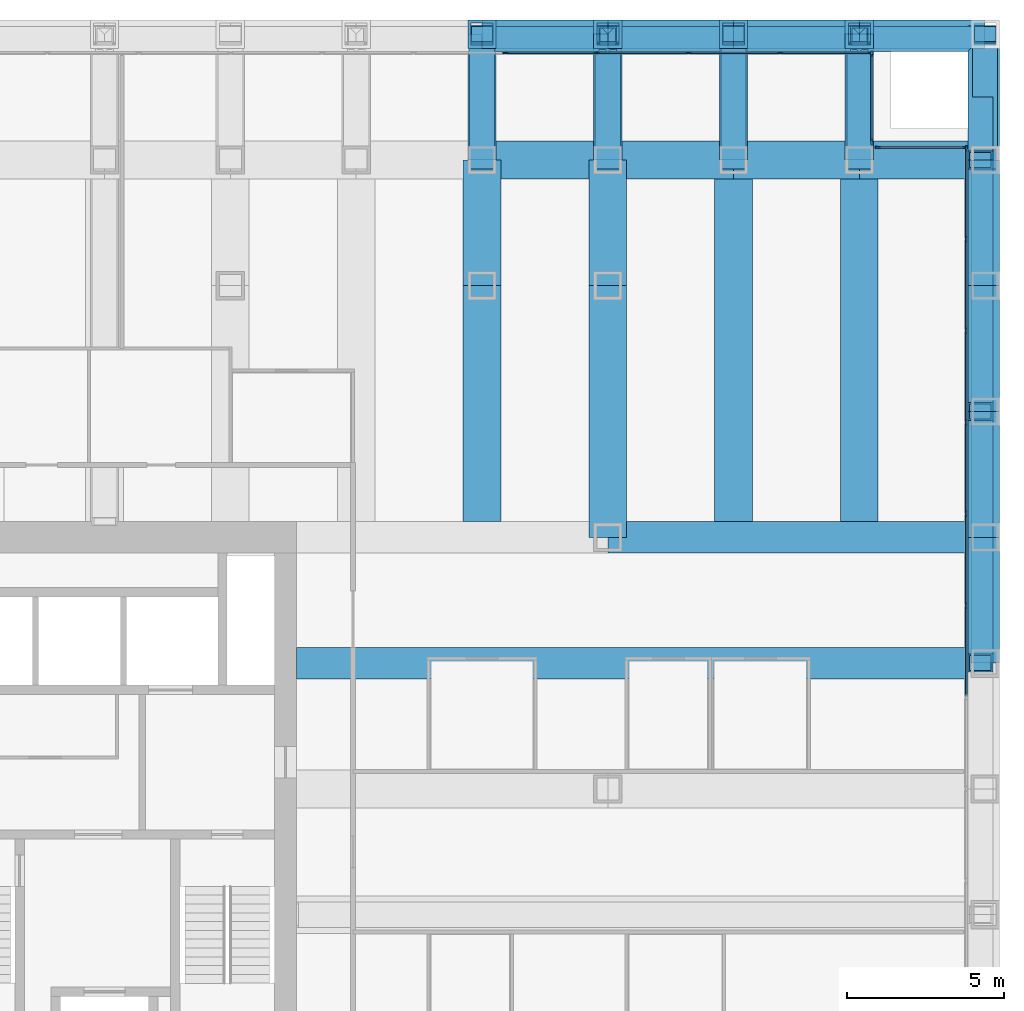
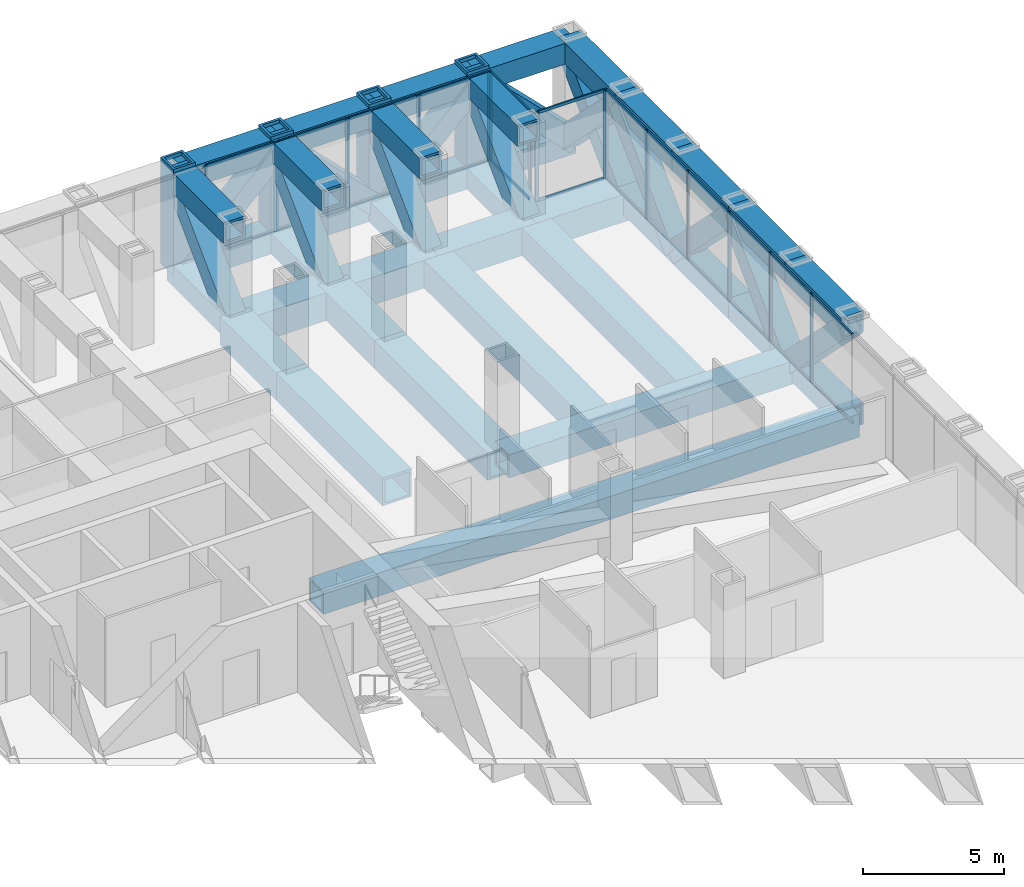
# One storey, part 10 of 18: 57 members, 37 beams, 4 elements without a shape of their own.
"""IFC4 building model written with IfcOpenShell, lengths in metres."""

from ifc_helpers import new_model, si_unit, direction, frame, origin, origin_2d, place, context, subcontext, project, spatial, rectangle, hollow_rectangle, extrude, material, material_profile, profile_set, type_object, element, aggregate, save


model = new_model("IFC4")

# Units and contexts
model_context = context("Model", 3, precision=1e-05, world=origin(), true_north=direction((0.0, 1.0)))
body_context = subcontext(model_context, "Body", "Model", "MODEL_VIEW")
ifc_project = project(units=[si_unit("LENGTHUNIT", "METRE"), si_unit("AREAUNIT", "SQUARE_METRE"), si_unit("VOLUMEUNIT", "CUBIC_METRE"), si_unit("PLANEANGLEUNIT", "RADIAN"), si_unit("MASSUNIT", "GRAM", prefix="KILO")], contexts=[model_context])

# Site, building, storey
site_placement = place(None, origin())
site = spatial("IfcSite", under=ifc_project, at=site_placement, CompositionType="ELEMENT")
building_placement = place(site_placement, origin())
building = spatial("IfcBuilding", under=site, at=building_placement, Name="Rimbunsela Tower", CompositionType="ELEMENT")
storey_placement = place(building_placement, frame((0.0, 0.0, 105.39990234375)))
storey = spatial("IfcBuildingStorey", under=building, at=storey_placement, Name="L25", CompositionType="ELEMENT", Elevation=105.39990234375)

# Beams
ifc_material_1 = material(Name="Steel BJ 55 (fy 410 MPa)", Category="steel")
ifc_material_profile_1 = material_profile(ifc_material_1, hollow_rectangle(XDim=1.0, YDim=1.0, WallThickness=0.10009765625, at=origin_2d()), Name="BOX 1000x1000x100")
ifc_profile_set_1 = profile_set([ifc_material_profile_1], Name="Steel BJ 55 (fy 410 MPa)")
beam_type_1 = type_object("IfcBeamType", Name="Beam BOX 1000x1000x100", PredefinedType="BEAM", material=ifc_profile_set_1)
beam_1_placement = place(storey_placement, frame((36.10009765625, 32.0, -0.64990234375), z_axis=(1.0, 0.0, 0.0), x_axis=(0.0, 1.0, 0.0)))
element("IfcBeam", 1, at=beam_1_placement, inside=storey, type_object=beam_type_1, Name="Beam B3 L25", PredefinedType="BEAM", context=body_context, shape_type="SweptSolid", body=[
    extrude(hollow_rectangle(XDim=1.0, YDim=1.0, WallThickness=0.10009765625, at=origin_2d()), origin(), (0.0, 0.0, 1.0), 21.89990234375),
])
beam_2_placement = place(storey_placement, frame((46.0, 36.0, -0.64990234375), z_axis=(1.0, 0.0, 0.0), x_axis=(0.0, 1.0, 0.0)))
element("IfcBeam", 2, at=beam_2_placement, inside=storey, type_object=beam_type_1, Name="Beam B3 L25", PredefinedType="BEAM", context=body_context, shape_type="SweptSolid", body=[
    extrude(hollow_rectangle(XDim=1.0, YDim=1.0, WallThickness=0.10009765625, at=origin_2d()), origin(), (0.0, 0.0, 1.0), 12.0),
])
ifc_material_2 = material(Name="Steel BJ 55 (fy 410 MPa)", Category="steel")
ifc_material_profile_2 = material_profile(ifc_material_2, hollow_rectangle(XDim=1.199951171875, YDim=1.199951171875, WallThickness=0.10009765625, at=origin_2d()), Name="BOX 1200x1200x100")
ifc_profile_set_2 = profile_set([ifc_material_profile_2], Name="Steel BJ 55 (fy 410 MPa)")
beam_type_2 = type_object("IfcBeamType", Name="Beam BOX 1200x1200x100", PredefinedType="BEAM", material=ifc_profile_set_2)
beam_3_placement = place(storey_placement, frame((42.0, 36.5, -0.75), z_axis=(0.0, 1.0, 0.0), x_axis=(-1.0, 0.0, 0.0)))
element("IfcBeam", 3, at=beam_3_placement, inside=storey, type_object=beam_type_2, Name="Beam B5 L25", PredefinedType="BEAM", context=body_context, shape_type="SweptSolid", body=[
    extrude(hollow_rectangle(XDim=1.199951171875, YDim=1.199951171875, WallThickness=0.10009765625, at=origin_2d()), origin(), (0.0, 0.0, 1.0), 7.5),
])
beam_4_placement = place(storey_placement, frame((46.0, 36.0, -0.75), z_axis=(0.0, 1.0, 0.0), x_axis=(-1.0, 0.0, 0.0)))
element("IfcBeam", 4, at=beam_4_placement, inside=storey, type_object=beam_type_2, Name="Beam B5 L25", PredefinedType="BEAM", context=body_context, shape_type="SweptSolid", body=[
    extrude(hollow_rectangle(XDim=1.199951171875, YDim=1.199951171875, WallThickness=0.10009765625, at=origin_2d()), origin(), (0.0, 0.0, 1.0), 8.0),
])
beam_5_placement = place(storey_placement, frame((50.0, 36.5, -0.75), z_axis=(0.0, 1.0, 0.0), x_axis=(-1.0, 0.0, 0.0)))
element("IfcBeam", 5, at=beam_5_placement, inside=storey, type_object=beam_type_2, Name="Beam B5 L25", PredefinedType="BEAM", context=body_context, shape_type="SweptSolid", body=[
    extrude(hollow_rectangle(XDim=1.199951171875, YDim=1.199951171875, WallThickness=0.10009765625, at=origin_2d()), origin(), (0.0, 0.0, 1.0), 11.5),
])
ifc_material_3 = material(Name="Steel BJ 55 (fy 410 MPa)", Category="steel")
ifc_material_profile_3 = material_profile(ifc_material_3, hollow_rectangle(XDim=1.199951171875, YDim=1.199951171875, WallThickness=0.125, at=origin_2d()), Name="BOX 1200x1200x125")
ifc_profile_set_3 = profile_set([ifc_material_profile_3], Name="Steel BJ 55 (fy 410 MPa)")
beam_type_3 = type_object("IfcBeamType", Name="Beam BOX 1200x1200x125", PredefinedType="BEAM", material=ifc_profile_set_3)
for number, where, z_axis, x_axis, name in (
    (6, (42.0, 44.0, -0.75), (0.0, 1.0, 0.0), (-1.0, 0.0, 0.0), "Beam B4 L25"),
    (7, (42.0, 48.0, -0.75), (1.0, 0.0, 0.0), (0.0, 1.0, 0.0), "Beam B4 L25"),
    (8, (46.0, 44.0, -0.75), (0.0, 1.0, 0.0), (-1.0, 0.0, 0.0), "Beam B4 L25"),
    (9, (46.0, 48.0, -0.75), (1.0, 0.0, 0.0), (0.0, 1.0, 0.0), "Beam B4 L25"),
    (10, (50.0, 48.0, -0.75), (1.0, 0.0, 0.0), (0.0, 1.0, 0.0), "Beam B4 L25"),
):
    element("IfcBeam", number, at=place(storey_placement, frame(where, z_axis=z_axis, x_axis=x_axis)), inside=storey, type_object=beam_type_3, Name=name, PredefinedType="BEAM", context=body_context, shape_type="SweptSolid", body=[
        extrude(hollow_rectangle(XDim=1.199951171875, YDim=1.199951171875, WallThickness=0.125, at=origin_2d()), origin(), (0.0, 0.0, 1.0), 4.0),
    ])
beam_6_placement = place(storey_placement, frame((54.0, 36.5, -0.75), z_axis=(0.0, 1.0, 0.0), x_axis=(-1.0, 0.0, 0.0)))
element("IfcBeam", 11, at=beam_6_placement, inside=storey, type_object=beam_type_3, Name="Beam B4 L25", PredefinedType="BEAM", context=body_context, shape_type="SweptSolid", body=[
    extrude(hollow_rectangle(XDim=1.199951171875, YDim=1.199951171875, WallThickness=0.125, at=origin_2d()), origin(), (0.0, 0.0, 1.0), 11.5),
])
beam_7_placement = place(storey_placement, frame((54.0, 48.0, -0.75), z_axis=(1.0, 0.0, 0.0), x_axis=(0.0, 1.0, 0.0)))
element("IfcBeam", 12, at=beam_7_placement, inside=storey, type_object=beam_type_3, Name="Beam B4 L25", PredefinedType="BEAM", context=body_context, shape_type="SweptSolid", body=[
    extrude(hollow_rectangle(XDim=1.199951171875, YDim=1.199951171875, WallThickness=0.125, at=origin_2d()), origin(), (0.0, 0.0, 1.0), 4.0),
])

# Curtain wall, members
ifc_material_4 = material(Name="Aluminium curtain wall", Category="aluminium")
curtain_wall_type_1 = type_object("IfcCurtainWallType", Name="Exoskeleton storey infill", PredefinedType="USERDEFINED", material=ifc_material_4)
curtain_wall_1_placement = place(storey_placement, origin())
curtain_wall_1 = element("IfcCurtainWall", 13, at=curtain_wall_1_placement, inside=storey, type_object=curtain_wall_type_1, Name="Exoskeleton storey infill L25", ObjectType="EXOSKELETON STOREY INFILL", PredefinedType="USERDEFINED")
ifc_material_5 = material(Name="Aluminium mullion", Category="aluminium")
ifc_material_profile_4 = material_profile(ifc_material_5, rectangle(XDim=0.06005859375, YDim=0.159912109375, at=origin_2d()), Name="Mullion 60x160")
ifc_profile_set_4 = profile_set([ifc_material_profile_4], Name="Aluminium mullion")
member_type_1 = type_object("IfcMemberType", Name="Curtain wall mullion 60x160", PredefinedType="MULLION", material=ifc_profile_set_4)
member_1_placement = place(storey_placement, frame((57.39990234375, 33.82861328125, 0.0), z_axis=(0.0, 0.0, 1.0), x_axis=(-1.0, 0.0, 0.0)))
member_1 = element("IfcMember", 14, at=member_1_placement, type_object=member_type_1, Name="CW2 mullion 10", PredefinedType="MULLION", context=body_context, shape_type="SweptSolid", body=[
    extrude(rectangle(XDim=0.06005859375, YDim=0.159912109375, at=origin_2d()), origin(), (0.0, 0.0, 1.0), 3.85009765625),
])
member_2_placement = place(storey_placement, frame((57.39990234375, 36.742919921875, 0.0), z_axis=(0.0, 0.0, 1.0), x_axis=(-1.0, 0.0, 0.0)))
member_2 = element("IfcMember", 15, at=member_2_placement, type_object=member_type_1, Name="CW2 mullion 11", PredefinedType="MULLION", context=body_context, shape_type="SweptSolid", body=[
    extrude(rectangle(XDim=0.06005859375, YDim=0.159912109375, at=origin_2d()), origin(), (0.0, 0.0, 1.0), 3.85009765625),
])
member_3_placement = place(storey_placement, frame((57.39990234375, 39.6572265625, 0.0), z_axis=(0.0, 0.0, 1.0), x_axis=(-1.0, 0.0, 0.0)))
member_3 = element("IfcMember", 16, at=member_3_placement, type_object=member_type_1, Name="CW2 mullion 12", PredefinedType="MULLION", context=body_context, shape_type="SweptSolid", body=[
    extrude(rectangle(XDim=0.06005859375, YDim=0.159912109375, at=origin_2d()), origin(), (0.0, 0.0, 1.0), 3.85009765625),
])
member_4_placement = place(storey_placement, frame((57.39990234375, 42.571533203125, 0.0), z_axis=(0.0, 0.0, 1.0), x_axis=(-1.0, 0.0, 0.0)))
member_4 = element("IfcMember", 17, at=member_4_placement, type_object=member_type_1, Name="CW2 mullion 13", PredefinedType="MULLION", context=body_context, shape_type="SweptSolid", body=[
    extrude(rectangle(XDim=0.06005859375, YDim=0.159912109375, at=origin_2d()), origin(), (0.0, 0.0, 1.0), 3.85009765625),
])
member_5_placement = place(storey_placement, frame((57.39990234375, 45.485595703125, 0.0), z_axis=(0.0, 0.0, 1.0), x_axis=(-1.0, 0.0, 0.0)))
member_5 = element("IfcMember", 18, at=member_5_placement, type_object=member_type_1, Name="CW2 mullion 14", PredefinedType="MULLION", context=body_context, shape_type="SweptSolid", body=[
    extrude(rectangle(XDim=0.06005859375, YDim=0.159912109375, at=origin_2d()), origin(), (0.0, 0.0, 1.0), 3.85009765625),
])
member_6_placement = place(storey_placement, frame((57.39990234375, 48.3701171875, 0.0), z_axis=(0.0, 0.0, 1.0), x_axis=(-1.0, 0.0, 0.0)))
member_6 = element("IfcMember", 19, at=member_6_placement, type_object=member_type_1, Name="CW2 mullion 15", PredefinedType="MULLION", context=body_context, shape_type="SweptSolid", body=[
    extrude(rectangle(XDim=0.06005859375, YDim=0.159912109375, at=origin_2d()), origin(), (0.0, 0.0, 1.0), 3.85009765625),
])

ifc_material_6 = material(Name="Aluminium curtain wall", Category="aluminium")
curtain_wall_type_2 = type_object("IfcCurtainWallType", Name="Corner glazing", PredefinedType="USERDEFINED", material=ifc_material_6)
curtain_wall_2_placement = place(storey_placement, origin())
curtain_wall_2 = element("IfcCurtainWall", 20, at=curtain_wall_2_placement, inside=storey, type_object=curtain_wall_type_2, Name="Corner glazing L25", ObjectType="CORNER GLAZING", PredefinedType="USERDEFINED")
member_7_placement = place(storey_placement, frame((57.3701171875, 48.39990234375, 0.0), z_axis=(0.0, 0.0, 1.0), x_axis=(0.0, -1.0, 0.0)))
member_7 = element("IfcMember", 21, at=member_7_placement, type_object=member_type_1, Name="CW5 mullion 1", PredefinedType="MULLION", context=body_context, shape_type="SweptSolid", body=[
    extrude(rectangle(XDim=0.06005859375, YDim=0.159912109375, at=origin_2d()), origin(), (0.0, 0.0, 1.0), 3.85009765625),
])
member_8_placement = place(storey_placement, frame((54.580078125, 48.39990234375, 0.0), z_axis=(0.0, 0.0, 1.0), x_axis=(0.0, -1.0, 0.0)))
member_8 = element("IfcMember", 22, at=member_8_placement, type_object=member_type_1, Name="CW5 mullion 2", PredefinedType="MULLION", context=body_context, shape_type="SweptSolid", body=[
    extrude(rectangle(XDim=0.06005859375, YDim=0.159912109375, at=origin_2d()), origin(), (0.0, 0.0, 1.0), 3.85009765625),
])

ifc_material_7 = material(Name="Aluminium curtain wall", Category="aluminium")
curtain_wall_type_3 = type_object("IfcCurtainWallType", Name="Spandrel wall", PredefinedType="USERDEFINED", material=ifc_material_7)
curtain_wall_3_placement = place(storey_placement, origin())
curtain_wall_3 = element("IfcCurtainWall", 23, at=curtain_wall_3_placement, inside=storey, type_object=curtain_wall_type_3, Name="Spandrel wall L25", ObjectType="SPANDREL WALL", PredefinedType="USERDEFINED")
member_9_placement = place(storey_placement, frame((54.39990234375, 48.580078125, 0.0), z_axis=(0.0, 0.0, 1.0), x_axis=(-1.0, 0.0, 0.0)))
member_9 = element("IfcMember", 24, at=member_9_placement, type_object=member_type_1, Name="CW7 mullion 1", PredefinedType="MULLION", context=body_context, shape_type="SweptSolid", body=[
    extrude(rectangle(XDim=0.06005859375, YDim=0.159912109375, at=origin_2d()), origin(), (0.0, 0.0, 1.0), 3.85009765625),
])
member_10_placement = place(storey_placement, frame((54.39990234375, 51.3701171875, 0.0), z_axis=(0.0, 0.0, 1.0), x_axis=(-1.0, 0.0, 0.0)))
member_10 = element("IfcMember", 25, at=member_10_placement, type_object=member_type_1, Name="CW7 mullion 2", PredefinedType="MULLION", context=body_context, shape_type="SweptSolid", body=[
    extrude(rectangle(XDim=0.06005859375, YDim=0.159912109375, at=origin_2d()), origin(), (0.0, 0.0, 1.0), 3.85009765625),
])

curtain_wall_4_placement = place(storey_placement, origin())
curtain_wall_4 = element("IfcCurtainWall", 26, at=curtain_wall_4_placement, inside=storey, type_object=curtain_wall_type_1, Name="Exoskeleton storey infill L25", ObjectType="EXOSKELETON STOREY INFILL", PredefinedType="USERDEFINED")
member_11_placement = place(storey_placement, frame((54.3701171875, 51.39990234375, 0.0), z_axis=(0.0, 0.0, 1.0), x_axis=(0.0, -1.0, 0.0)))
member_11 = element("IfcMember", 27, at=member_11_placement, type_object=member_type_1, Name="CW2 mullion 1", PredefinedType="MULLION", context=body_context, shape_type="SweptSolid", body=[
    extrude(rectangle(XDim=0.06005859375, YDim=0.159912109375, at=origin_2d()), origin(), (0.0, 0.0, 1.0), 3.85009765625),
])
member_12_placement = place(storey_placement, frame((51.485595703125, 51.39990234375, 0.0), z_axis=(0.0, 0.0, 1.0), x_axis=(0.0, -1.0, 0.0)))
member_12 = element("IfcMember", 28, at=member_12_placement, type_object=member_type_1, Name="CW2 mullion 2", PredefinedType="MULLION", context=body_context, shape_type="SweptSolid", body=[
    extrude(rectangle(XDim=0.06005859375, YDim=0.159912109375, at=origin_2d()), origin(), (0.0, 0.0, 1.0), 3.85009765625),
])
member_13_placement = place(storey_placement, frame((48.571533203125, 51.39990234375, 0.0), z_axis=(0.0, 0.0, 1.0), x_axis=(0.0, -1.0, 0.0)))
member_13 = element("IfcMember", 29, at=member_13_placement, type_object=member_type_1, Name="CW2 mullion 3", PredefinedType="MULLION", context=body_context, shape_type="SweptSolid", body=[
    extrude(rectangle(XDim=0.06005859375, YDim=0.159912109375, at=origin_2d()), origin(), (0.0, 0.0, 1.0), 3.85009765625),
])
member_14_placement = place(storey_placement, frame((45.6572265625, 51.39990234375, 0.0), z_axis=(0.0, 0.0, 1.0), x_axis=(0.0, -1.0, 0.0)))
member_14 = element("IfcMember", 30, at=member_14_placement, type_object=member_type_1, Name="CW2 mullion 4", PredefinedType="MULLION", context=body_context, shape_type="SweptSolid", body=[
    extrude(rectangle(XDim=0.06005859375, YDim=0.159912109375, at=origin_2d()), origin(), (0.0, 0.0, 1.0), 3.85009765625),
])
member_15_placement = place(storey_placement, frame((42.742919921875, 51.39990234375, 0.0), z_axis=(0.0, 0.0, 1.0), x_axis=(0.0, -1.0, 0.0)))
member_15 = element("IfcMember", 31, at=member_15_placement, type_object=member_type_1, Name="CW2 mullion 5", PredefinedType="MULLION", context=body_context, shape_type="SweptSolid", body=[
    extrude(rectangle(XDim=0.06005859375, YDim=0.159912109375, at=origin_2d()), origin(), (0.0, 0.0, 1.0), 3.85009765625),
])

# Member
ifc_material_8 = material(Name="Aluminium transom", Category="aluminium")
ifc_material_profile_5 = material_profile(ifc_material_8, rectangle(XDim=0.06005859375, YDim=0.1201171875, at=origin_2d()), Name="Transom 60x120")
ifc_profile_set_5 = profile_set([ifc_material_profile_5], Name="Aluminium transom")
member_type_2 = type_object("IfcMemberType", Name="Curtain wall transom 60x120", PredefinedType="USERDEFINED", material=ifc_profile_set_5)
member_16_placement = place(storey_placement, frame((57.39990234375, 30.9443359375, 0.030029296875), z_axis=(0.0, 1.0, 0.0), x_axis=(-1.0, 0.0, 0.0)))
member_16 = element("IfcMember", 32, at=member_16_placement, type_object=member_type_2, Name="CW2 transom 9.1", ObjectType="TRANSOM", PredefinedType="USERDEFINED", context=body_context, shape_type="SweptSolid", body=[
    extrude(rectangle(XDim=0.06005859375, YDim=0.1201171875, at=origin_2d()), origin(), (0.0, 0.0, 1.0), 2.854248046875),
])

member_17_placement = place(storey_placement, frame((57.39990234375, 30.9443359375, 3.820068359375), z_axis=(0.0, 1.0, 0.0), x_axis=(-1.0, 0.0, 0.0)))
member_17 = element("IfcMember", 33, at=member_17_placement, type_object=member_type_2, Name="CW2 transom 9.2", ObjectType="TRANSOM", PredefinedType="USERDEFINED", context=body_context, shape_type="SweptSolid", body=[
    extrude(rectangle(XDim=0.06005859375, YDim=0.1201171875, at=origin_2d()), origin(), (0.0, 0.0, 1.0), 2.854248046875),
])

member_18_placement = place(storey_placement, frame((57.39990234375, 33.858642578125, 0.030029296875), z_axis=(0.0, 1.0, 0.0), x_axis=(-1.0, 0.0, 0.0)))
member_18 = element("IfcMember", 34, at=member_18_placement, type_object=member_type_2, Name="CW2 transom 10.1", ObjectType="TRANSOM", PredefinedType="USERDEFINED", context=body_context, shape_type="SweptSolid", body=[
    extrude(rectangle(XDim=0.06005859375, YDim=0.1201171875, at=origin_2d()), origin(), (0.0, 0.0, 1.0), 2.854248046875),
])

member_19_placement = place(storey_placement, frame((57.39990234375, 33.858642578125, 3.820068359375), z_axis=(0.0, 1.0, 0.0), x_axis=(-1.0, 0.0, 0.0)))
member_19 = element("IfcMember", 35, at=member_19_placement, type_object=member_type_2, Name="CW2 transom 10.2", ObjectType="TRANSOM", PredefinedType="USERDEFINED", context=body_context, shape_type="SweptSolid", body=[
    extrude(rectangle(XDim=0.06005859375, YDim=0.1201171875, at=origin_2d()), origin(), (0.0, 0.0, 1.0), 2.854248046875),
])

member_20_placement = place(storey_placement, frame((57.39990234375, 36.77294921875, 0.030029296875), z_axis=(0.0, 1.0, 0.0), x_axis=(-1.0, 0.0, 0.0)))
member_20 = element("IfcMember", 36, at=member_20_placement, type_object=member_type_2, Name="CW2 transom 11.1", ObjectType="TRANSOM", PredefinedType="USERDEFINED", context=body_context, shape_type="SweptSolid", body=[
    extrude(rectangle(XDim=0.06005859375, YDim=0.1201171875, at=origin_2d()), origin(), (0.0, 0.0, 1.0), 2.854248046875),
])

member_21_placement = place(storey_placement, frame((57.39990234375, 36.77294921875, 3.820068359375), z_axis=(0.0, 1.0, 0.0), x_axis=(-1.0, 0.0, 0.0)))
member_21 = element("IfcMember", 37, at=member_21_placement, type_object=member_type_2, Name="CW2 transom 11.2", ObjectType="TRANSOM", PredefinedType="USERDEFINED", context=body_context, shape_type="SweptSolid", body=[
    extrude(rectangle(XDim=0.06005859375, YDim=0.1201171875, at=origin_2d()), origin(), (0.0, 0.0, 1.0), 2.854248046875),
])

member_22_placement = place(storey_placement, frame((57.39990234375, 39.687255859375, 0.030029296875), z_axis=(0.0, 1.0, 0.0), x_axis=(-1.0, 0.0, 0.0)))
member_22 = element("IfcMember", 38, at=member_22_placement, type_object=member_type_2, Name="CW2 transom 12.1", ObjectType="TRANSOM", PredefinedType="USERDEFINED", context=body_context, shape_type="SweptSolid", body=[
    extrude(rectangle(XDim=0.06005859375, YDim=0.1201171875, at=origin_2d()), origin(), (0.0, 0.0, 1.0), 2.854248046875),
])

member_23_placement = place(storey_placement, frame((57.39990234375, 39.687255859375, 3.820068359375), z_axis=(0.0, 1.0, 0.0), x_axis=(-1.0, 0.0, 0.0)))
member_23 = element("IfcMember", 39, at=member_23_placement, type_object=member_type_2, Name="CW2 transom 12.2", ObjectType="TRANSOM", PredefinedType="USERDEFINED", context=body_context, shape_type="SweptSolid", body=[
    extrude(rectangle(XDim=0.06005859375, YDim=0.1201171875, at=origin_2d()), origin(), (0.0, 0.0, 1.0), 2.854248046875),
])

member_24_placement = place(storey_placement, frame((57.39990234375, 42.601318359375, 0.030029296875), z_axis=(0.0, 1.0, 0.0), x_axis=(-1.0, 0.0, 0.0)))
member_24 = element("IfcMember", 40, at=member_24_placement, type_object=member_type_2, Name="CW2 transom 13.1", ObjectType="TRANSOM", PredefinedType="USERDEFINED", context=body_context, shape_type="SweptSolid", body=[
    extrude(rectangle(XDim=0.06005859375, YDim=0.1201171875, at=origin_2d()), origin(), (0.0, 0.0, 1.0), 2.8544921875),
])

member_25_placement = place(storey_placement, frame((57.39990234375, 42.601318359375, 3.820068359375), z_axis=(0.0, 1.0, 0.0), x_axis=(-1.0, 0.0, 0.0)))
member_25 = element("IfcMember", 41, at=member_25_placement, type_object=member_type_2, Name="CW2 transom 13.2", ObjectType="TRANSOM", PredefinedType="USERDEFINED", context=body_context, shape_type="SweptSolid", body=[
    extrude(rectangle(XDim=0.06005859375, YDim=0.1201171875, at=origin_2d()), origin(), (0.0, 0.0, 1.0), 2.8544921875),
])

member_26_placement = place(storey_placement, frame((57.39990234375, 45.515625, 0.030029296875), z_axis=(0.0, 1.0, 0.0), x_axis=(-1.0, 0.0, 0.0)))
member_26 = element("IfcMember", 42, at=member_26_placement, type_object=member_type_2, Name="CW2 transom 14.1", ObjectType="TRANSOM", PredefinedType="USERDEFINED", context=body_context, shape_type="SweptSolid", body=[
    extrude(rectangle(XDim=0.06005859375, YDim=0.1201171875, at=origin_2d()), origin(), (0.0, 0.0, 1.0), 2.824462890625),
])

member_27_placement = place(storey_placement, frame((57.39990234375, 45.515625, 3.820068359375), z_axis=(0.0, 1.0, 0.0), x_axis=(-1.0, 0.0, 0.0)))
member_27 = element("IfcMember", 43, at=member_27_placement, type_object=member_type_2, Name="CW2 transom 14.2", ObjectType="TRANSOM", PredefinedType="USERDEFINED", context=body_context, shape_type="SweptSolid", body=[
    extrude(rectangle(XDim=0.06005859375, YDim=0.1201171875, at=origin_2d()), origin(), (0.0, 0.0, 1.0), 2.824462890625),
])

aggregate(curtain_wall_1, [member_1, member_2, member_3, member_4, member_5, member_6, member_16, member_17, member_18, member_19, member_20, member_21, member_22, member_23, member_24, member_25, member_26, member_27])

member_28_placement = place(storey_placement, frame((57.340087890625, 48.39990234375, 0.030029296875), z_axis=(-1.0, 0.0, 0.0), x_axis=(0.0, -1.0, 0.0)))
member_28 = element("IfcMember", 44, at=member_28_placement, type_object=member_type_2, Name="CW5 transom 1.1", ObjectType="TRANSOM", PredefinedType="USERDEFINED", context=body_context, shape_type="SweptSolid", body=[
    extrude(rectangle(XDim=0.06005859375, YDim=0.1201171875, at=origin_2d()), origin(), (0.0, 0.0, 1.0), 2.72998046875),
])

member_29_placement = place(storey_placement, frame((57.340087890625, 48.39990234375, 3.820068359375), z_axis=(-1.0, 0.0, 0.0), x_axis=(0.0, -1.0, 0.0)))
member_29 = element("IfcMember", 45, at=member_29_placement, type_object=member_type_2, Name="CW5 transom 1.2", ObjectType="TRANSOM", PredefinedType="USERDEFINED", context=body_context, shape_type="SweptSolid", body=[
    extrude(rectangle(XDim=0.06005859375, YDim=0.1201171875, at=origin_2d()), origin(), (0.0, 0.0, 1.0), 2.72998046875),
])

aggregate(curtain_wall_2, [member_7, member_8, member_28, member_29])

member_30_placement = place(storey_placement, frame((54.39990234375, 48.610107421875, 0.030029296875), z_axis=(0.0, 1.0, 0.0), x_axis=(-1.0, 0.0, 0.0)))
member_30 = element("IfcMember", 46, at=member_30_placement, type_object=member_type_2, Name="CW7 transom 1.1", ObjectType="TRANSOM", PredefinedType="USERDEFINED", context=body_context, shape_type="SweptSolid", body=[
    extrude(rectangle(XDim=0.06005859375, YDim=0.1201171875, at=origin_2d()), origin(), (0.0, 0.0, 1.0), 2.72998046875),
])

member_31_placement = place(storey_placement, frame((54.39990234375, 48.610107421875, 3.820068359375), z_axis=(0.0, 1.0, 0.0), x_axis=(-1.0, 0.0, 0.0)))
member_31 = element("IfcMember", 47, at=member_31_placement, type_object=member_type_2, Name="CW7 transom 1.2", ObjectType="TRANSOM", PredefinedType="USERDEFINED", context=body_context, shape_type="SweptSolid", body=[
    extrude(rectangle(XDim=0.06005859375, YDim=0.1201171875, at=origin_2d()), origin(), (0.0, 0.0, 1.0), 2.72998046875),
])

aggregate(curtain_wall_3, [member_9, member_10, member_30, member_31])

member_32_placement = place(storey_placement, frame((54.340087890625, 51.39990234375, 0.030029296875), z_axis=(-1.0, 0.0, 0.0), x_axis=(0.0, -1.0, 0.0)))
member_32 = element("IfcMember", 48, at=member_32_placement, type_object=member_type_2, Name="CW2 transom 1.1", ObjectType="TRANSOM", PredefinedType="USERDEFINED", context=body_context, shape_type="SweptSolid", body=[
    extrude(rectangle(XDim=0.06005859375, YDim=0.1201171875, at=origin_2d()), origin(), (0.0, 0.0, 1.0), 2.824462890625),
])

member_33_placement = place(storey_placement, frame((54.340087890625, 51.39990234375, 3.820068359375), z_axis=(-1.0, 0.0, 0.0), x_axis=(0.0, -1.0, 0.0)))
member_33 = element("IfcMember", 49, at=member_33_placement, type_object=member_type_2, Name="CW2 transom 1.2", ObjectType="TRANSOM", PredefinedType="USERDEFINED", context=body_context, shape_type="SweptSolid", body=[
    extrude(rectangle(XDim=0.06005859375, YDim=0.1201171875, at=origin_2d()), origin(), (0.0, 0.0, 1.0), 2.824462890625),
])

member_34_placement = place(storey_placement, frame((51.455810546875, 51.39990234375, 0.030029296875), z_axis=(-1.0, 0.0, 0.0), x_axis=(0.0, -1.0, 0.0)))
member_34 = element("IfcMember", 50, at=member_34_placement, type_object=member_type_2, Name="CW2 transom 2.1", ObjectType="TRANSOM", PredefinedType="USERDEFINED", context=body_context, shape_type="SweptSolid", body=[
    extrude(rectangle(XDim=0.06005859375, YDim=0.1201171875, at=origin_2d()), origin(), (0.0, 0.0, 1.0), 2.8544921875),
])

member_35_placement = place(storey_placement, frame((51.455810546875, 51.39990234375, 3.820068359375), z_axis=(-1.0, 0.0, 0.0), x_axis=(0.0, -1.0, 0.0)))
member_35 = element("IfcMember", 51, at=member_35_placement, type_object=member_type_2, Name="CW2 transom 2.2", ObjectType="TRANSOM", PredefinedType="USERDEFINED", context=body_context, shape_type="SweptSolid", body=[
    extrude(rectangle(XDim=0.06005859375, YDim=0.1201171875, at=origin_2d()), origin(), (0.0, 0.0, 1.0), 2.8544921875),
])

member_36_placement = place(storey_placement, frame((48.54150390625, 51.39990234375, 0.030029296875), z_axis=(-1.0, 0.0, 0.0), x_axis=(0.0, -1.0, 0.0)))
member_36 = element("IfcMember", 52, at=member_36_placement, type_object=member_type_2, Name="CW2 transom 3.1", ObjectType="TRANSOM", PredefinedType="USERDEFINED", context=body_context, shape_type="SweptSolid", body=[
    extrude(rectangle(XDim=0.06005859375, YDim=0.1201171875, at=origin_2d()), origin(), (0.0, 0.0, 1.0), 2.854248046875),
])

member_37_placement = place(storey_placement, frame((48.54150390625, 51.39990234375, 3.820068359375), z_axis=(-1.0, 0.0, 0.0), x_axis=(0.0, -1.0, 0.0)))
member_37 = element("IfcMember", 53, at=member_37_placement, type_object=member_type_2, Name="CW2 transom 3.2", ObjectType="TRANSOM", PredefinedType="USERDEFINED", context=body_context, shape_type="SweptSolid", body=[
    extrude(rectangle(XDim=0.06005859375, YDim=0.1201171875, at=origin_2d()), origin(), (0.0, 0.0, 1.0), 2.854248046875),
])

member_38_placement = place(storey_placement, frame((45.627197265625, 51.39990234375, 0.030029296875), z_axis=(-1.0, 0.0, 0.0), x_axis=(0.0, -1.0, 0.0)))
member_38 = element("IfcMember", 54, at=member_38_placement, type_object=member_type_2, Name="CW2 transom 4.1", ObjectType="TRANSOM", PredefinedType="USERDEFINED", context=body_context, shape_type="SweptSolid", body=[
    extrude(rectangle(XDim=0.06005859375, YDim=0.1201171875, at=origin_2d()), origin(), (0.0, 0.0, 1.0), 2.854248046875),
])

member_39_placement = place(storey_placement, frame((45.627197265625, 51.39990234375, 3.820068359375), z_axis=(-1.0, 0.0, 0.0), x_axis=(0.0, -1.0, 0.0)))
member_39 = element("IfcMember", 55, at=member_39_placement, type_object=member_type_2, Name="CW2 transom 4.2", ObjectType="TRANSOM", PredefinedType="USERDEFINED", context=body_context, shape_type="SweptSolid", body=[
    extrude(rectangle(XDim=0.06005859375, YDim=0.1201171875, at=origin_2d()), origin(), (0.0, 0.0, 1.0), 2.854248046875),
])

aggregate(curtain_wall_4, [member_11, member_12, member_13, member_14, member_15, member_32, member_33, member_34, member_35, member_36, member_37, member_38, member_39])

# Beams
ifc_material_9 = material(Name="Steel BJ 55 (fy 410 MPa)", Category="steel")
ifc_material_profile_6 = material_profile(ifc_material_9, hollow_rectangle(XDim=0.89990234375, YDim=0.89990234375, WallThickness=0.10009765625, at=origin_2d()), Name="BOX 900x900x100")
ifc_profile_set_6 = profile_set([ifc_material_profile_6], Name="Steel BJ 55 (fy 410 MPa)")
beam_type_4 = type_object("IfcBeamType", Name="Truss chord BOX 900x900x100", PredefinedType="USERDEFINED", material=ifc_profile_set_6)
for number, where, z_axis, x_axis, name in (
    (56, (42.0, 52.0, 3.400146484375), (1.0, 0.0, 0.0), (0.0, 1.0, 0.0), "Truss top chord TC2 N face L25"),
    (57, (46.0, 52.0, 3.400146484375), (1.0, 0.0, 0.0), (0.0, 1.0, 0.0), "Truss top chord TC2 N face L25"),
    (58, (50.0, 52.0, 3.400146484375), (1.0, 0.0, 0.0), (0.0, 1.0, 0.0), "Truss top chord TC2 N face L25"),
    (59, (54.0, 52.0, 3.400146484375), (1.0, 0.0, 0.0), (0.0, 1.0, 0.0), "Truss top chord TC2 N face L25"),
    (60, (58.0, 32.0, 3.400146484375), (0.0, 1.0, 0.0), (-1.0, 0.0, 0.0), "Truss top chord TC2 E face L25"),
    (61, (58.0, 36.0, 3.400146484375), (0.0, 1.0, 0.0), (-1.0, 0.0, 0.0), "Truss top chord TC2 E face L25"),
    (62, (58.0, 40.0, 3.400146484375), (0.0, 1.0, 0.0), (-1.0, 0.0, 0.0), "Truss top chord TC2 E face L25"),
    (63, (58.0, 44.0, 3.400146484375), (0.0, 1.0, 0.0), (-1.0, 0.0, 0.0), "Truss top chord TC2 E face L25"),
    (64, (58.0, 48.0, 3.400146484375), (0.0, 1.0, 0.0), (-1.0, 0.0, 0.0), "Truss top chord TC2 E face L25"),
    (65, (58.0, 32.0, -0.599853515625), (0.0, 1.0, 0.0), (-1.0, 0.0, 0.0), "Truss bottom chord TC2 E face L25"),
    (66, (58.0, 36.0, -0.599853515625), (0.0, 1.0, 0.0), (-1.0, 0.0, 0.0), "Truss bottom chord TC2 E face L25"),
    (67, (58.0, 40.0, -0.599853515625), (0.0, 1.0, 0.0), (-1.0, 0.0, 0.0), "Truss bottom chord TC2 E face L25"),
    (68, (58.0, 44.0, -0.599853515625), (0.0, 1.0, 0.0), (-1.0, 0.0, 0.0), "Truss bottom chord TC2 E face L25"),
    (69, (42.0, 48.0, -0.599853515625), (0.0, 1.0, 0.0), (-1.0, 0.0, 0.0), "Cantilever truss bottom chord TC2 13/Q L25"),
    (70, (42.0, 48.0, 3.400146484375), (0.0, 1.0, 0.0), (-1.0, 0.0, 0.0), "Cantilever truss top chord TC2 13/Q L25"),
    (71, (46.0, 48.0, -0.599853515625), (0.0, 1.0, 0.0), (-1.0, 0.0, 0.0), "Cantilever truss bottom chord TC2 14/Q L25"),
    (72, (46.0, 48.0, 3.400146484375), (0.0, 1.0, 0.0), (-1.0, 0.0, 0.0), "Cantilever truss top chord TC2 14/Q L25"),
    (73, (50.0, 48.0, -0.599853515625), (0.0, 1.0, 0.0), (-1.0, 0.0, 0.0), "Cantilever truss bottom chord TC2 15/Q L25"),
    (74, (50.0, 48.0, 3.400146484375), (0.0, 1.0, 0.0), (-1.0, 0.0, 0.0), "Cantilever truss top chord TC2 15/Q L25"),
    (75, (54.0, 48.0, -0.599853515625), (0.0, 1.0, 0.0), (-1.0, 0.0, 0.0), "Cantilever truss bottom chord TC2 16/Q L25"),
    (76, (54.0, 48.0, 3.400146484375), (0.0, 1.0, 0.0), (-1.0, 0.0, 0.0), "Cantilever truss top chord TC2 16/Q L25"),
    (77, (42.0, 52.0, -0.599853515625), (1.0, 0.0, 0.0), (0.0, 1.0, 0.0), "Truss bottom chord TC2 N face L25"),
    (78, (46.0, 52.0, -0.599853515625), (1.0, 0.0, 0.0), (0.0, 1.0, 0.0), "Truss bottom chord TC2 N face L25"),
    (79, (50.0, 52.0, -0.599853515625), (1.0, 0.0, 0.0), (0.0, 1.0, 0.0), "Truss bottom chord TC2 N face L25"),
    (80, (54.0, 52.0, -0.599853515625), (1.0, 0.0, 0.0), (0.0, 1.0, 0.0), "Truss bottom chord TC2 N face L25"),
):
    element("IfcBeam", number, at=place(storey_placement, frame(where, z_axis=z_axis, x_axis=x_axis)), inside=storey, type_object=beam_type_4, Name=name, ObjectType="TRUSS CHORD", PredefinedType="USERDEFINED", context=body_context, shape_type="SweptSolid", body=[
        extrude(hollow_rectangle(XDim=0.89990234375, YDim=0.89990234375, WallThickness=0.10009765625, at=origin_2d()), origin(), (0.0, 0.0, 1.0), 4.0),
    ])

# Members
ifc_material_10 = material(Name="Steel BJ 55 (fy 410 MPa)", Category="steel")
ifc_material_profile_7 = material_profile(ifc_material_10, hollow_rectangle(XDim=0.800048828125, YDim=0.800048828125, WallThickness=0.06005859375, at=origin_2d()), Name="BOX 800x800x60")
ifc_profile_set_7 = profile_set([ifc_material_profile_7], Name="Steel BJ 55 (fy 410 MPa)")
member_type_3 = type_object("IfcMemberType", Name="Truss diagonal BOX 800x800x60", PredefinedType="BRACE", material=ifc_profile_set_7)
for number, where, z_axis, x_axis, name in (
    (81, (42.0, 51.85009765625, -0.599853515625), (0.707106781187, 0.0, 0.707106781187), (0.0, 1.0, 0.0), "Truss diagonal TD2 N face L25"),
    (82, (46.0, 51.85009765625, 3.400146484375), (0.707106781187, 0.0, -0.707106781187), (0.0, 1.0, 0.0), "Truss diagonal TD2 N face L25"),
    (83, (50.0, 51.85009765625, -0.599853515625), (0.707106781187, 0.0, 0.707106781187), (0.0, 1.0, 0.0), "Truss diagonal TD2 N face L25"),
    (84, (54.0, 51.85009765625, 3.400146484375), (0.707106781187, 0.0, -0.707106781187), (0.0, 1.0, 0.0), "Truss diagonal TD2 N face L25"),
    (85, (57.85009765625, 32.0, 3.400146484375), (0.0, 0.707106781187, -0.707106781187), (-1.0, 0.0, 0.0), "Truss diagonal TD2 E face L25"),
    (86, (57.85009765625, 36.0, -0.599853515625), (0.0, 0.707106781187, 0.707106781187), (-1.0, 0.0, 0.0), "Truss diagonal TD2 E face L25"),
    (87, (57.85009765625, 40.0, 3.400146484375), (0.0, 0.707106781187, -0.707106781187), (-1.0, 0.0, 0.0), "Truss diagonal TD2 E face L25"),
    (88, (57.85009765625, 44.0, -0.599853515625), (0.0, 0.707106781187, 0.707106781187), (-1.0, 0.0, 0.0), "Truss diagonal TD2 E face L25"),
    (89, (57.85009765625, 48.0, 3.400146484375), (0.0, 0.707106781187, -0.707106781187), (-1.0, 0.0, 0.0), "Truss diagonal TD2 E face L25"),
    (90, (42.0, 48.0, -0.599853515625), (0.0, 0.707106781187, 0.707106781187), (-1.0, 0.0, 0.0), "Cantilever truss diagonal TD2 13/Q L25"),
    (91, (46.0, 48.0, -0.599853515625), (0.0, 0.707106781187, 0.707106781187), (-1.0, 0.0, 0.0), "Cantilever truss diagonal TD2 14/Q L25"),
    (92, (50.0, 48.0, -0.599853515625), (0.0, 0.707106781187, 0.707106781187), (-1.0, 0.0, 0.0), "Cantilever truss diagonal TD2 15/Q L25"),
    (93, (54.0, 48.0, -0.599853515625), (0.0, 0.707106781187, 0.707106781187), (-1.0, 0.0, 0.0), "Cantilever truss diagonal TD2 16/Q L25"),
    (94, (58.0, 48.0, -0.599853515625), (0.0, 0.707106781187, 0.707106781187), (-1.0, 0.0, 0.0), "Cantilever truss diagonal TD2 17/Q L25"),
):
    element("IfcMember", number, at=place(storey_placement, frame(where, z_axis=z_axis, x_axis=x_axis)), inside=storey, type_object=member_type_3, Name=name, PredefinedType="BRACE", context=body_context, shape_type="SweptSolid", body=[
        extrude(hollow_rectangle(XDim=0.800048828125, YDim=0.800048828125, WallThickness=0.06005859375, at=origin_2d()), origin(), (0.0, 0.0, 1.0), 5.65673828125),
    ])
ifc_material_11 = material(Name="Steel BJ 55 (fy 410 MPa)", Category="steel")
ifc_material_profile_8 = material_profile(ifc_material_11, hollow_rectangle(XDim=0.89990234375, YDim=0.89990234375, WallThickness=0.10009765625, at=origin_2d()), Name="BOX 900x900x100")
ifc_profile_set_8 = profile_set([ifc_material_profile_8], Name="Steel BJ 55 (fy 410 MPa)")
member_type_4 = type_object("IfcMemberType", Name="Truss post BOX 900x900x100", PredefinedType="POST", material=ifc_profile_set_8)
for number, where, z_axis, x_axis, name in (
    (95, (42.0, 52.0, -0.599853515625), (0.0, 0.0, 1.0), (1.0, 0.0, 0.0), "Truss post TP2 13/Q L25"),
    (96, (46.0, 52.0, -0.599853515625), (0.0, 0.0, 1.0), (1.0, 0.0, 0.0), "Truss post TP2 14/Q L25"),
    (97, (50.0, 52.0, -0.599853515625), (0.0, 0.0, 1.0), (1.0, 0.0, 0.0), "Truss post TP2 15/Q L25"),
    (98, (54.0, 52.0, -0.599853515625), (0.0, 0.0, 1.0), (1.0, 0.0, 0.0), "Truss post TP2 16/Q L25"),
):
    element("IfcMember", number, at=place(storey_placement, frame(where, z_axis=z_axis, x_axis=x_axis)), inside=storey, type_object=member_type_4, Name=name, PredefinedType="POST", context=body_context, shape_type="SweptSolid", body=[
        extrude(hollow_rectangle(XDim=0.89990234375, YDim=0.89990234375, WallThickness=0.10009765625, at=origin_2d()), origin(), (0.0, 0.0, 1.0), 4.599853515625),
    ])

save(model, "model.ifc")
